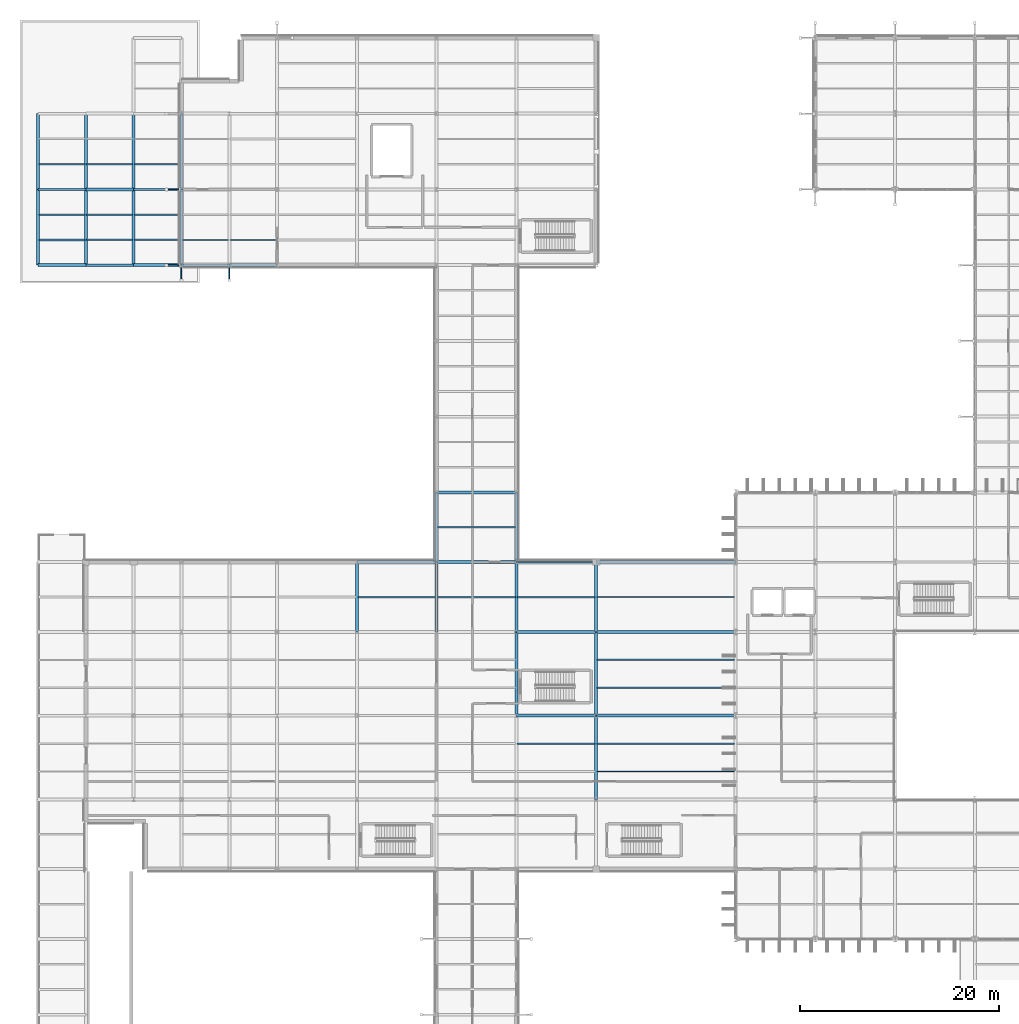
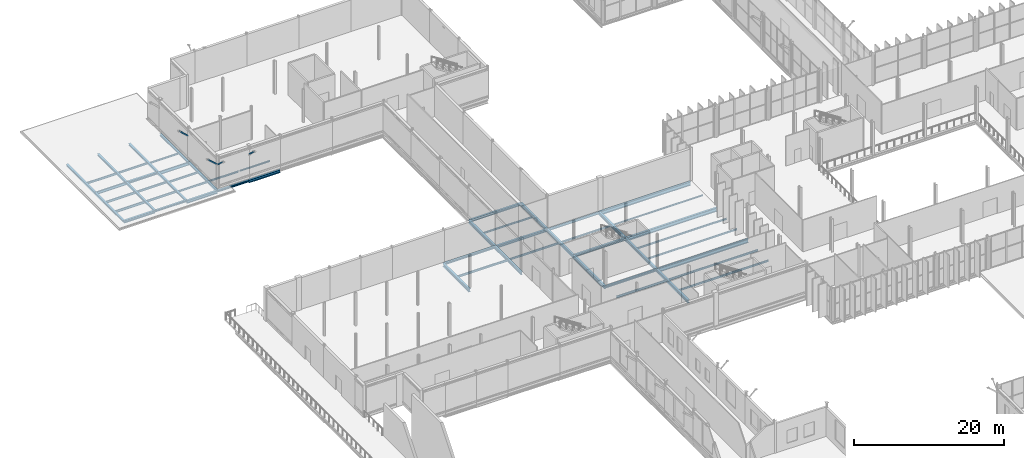
# One storey, part 48 of 147: 55 beams, 4 members.
"""IFC4 building model written with IfcOpenShell, lengths in metres."""

from ifc_helpers import new_model, si_unit, direction, frame, origin, origin_2d, place, context, subcontext, project, spatial, hollow_rectangle, i_section, extrude, material, material_profile, profile_set, type_object, element, save


model = new_model("IFC4")

# Units and contexts
model_context = context("Model", 3, precision=1e-05, world=origin(), true_north=direction((0.0, 1.0)))
body_context = subcontext(model_context, "Body", "Model", "MODEL_VIEW")
ifc_project = project(units=[si_unit("LENGTHUNIT", "METRE"), si_unit("AREAUNIT", "SQUARE_METRE"), si_unit("VOLUMEUNIT", "CUBIC_METRE"), si_unit("PLANEANGLEUNIT", "RADIAN"), si_unit("MASSUNIT", "GRAM", prefix="KILO")], contexts=[model_context])

# Site, building, storey
site_placement = place(None, origin())
site = spatial("IfcSite", under=ifc_project, at=site_placement, CompositionType="ELEMENT")
building_placement = place(site_placement, origin())
building = spatial("IfcBuilding", under=site, at=building_placement, Name="Vekula Escarpment Museum", CompositionType="ELEMENT")
storey_placement = place(building_placement, frame((0.0, 0.0, 7.800048828125)))
storey = spatial("IfcBuildingStorey", under=building, at=storey_placement, Name="L02", CompositionType="ELEMENT", Elevation=7.800048828125)

# Beams
ifc_material_1 = material(Name="Steel S355", Category="steel")
ifc_material_profile_1 = material_profile(ifc_material_1, i_section(OverallWidth=0.280029296875, OverallDepth=0.280029296875, WebThickness=0.010498046875, FlangeThickness=0.01806640625, FilletRadius=0.02392578125, at=origin_2d()), Name="HEB 280")
ifc_profile_set_1 = profile_set([ifc_material_profile_1], Name="Steel S355")
beam_type_1 = type_object("IfcBeamType", Name="BM-GIRD-HEB280", PredefinedType="BEAM", material=ifc_profile_set_1)
for number, where, z_axis, x_axis, name in (
    (1, (4.800048828125, 113.199951171875, -0.340087890625), (1.0, 0.0, 0.0), (0.0, 1.0, 0.0), "Beam X L02 0968"),
    (2, (14.39990234375, 113.199951171875, -0.4599609375), (1.0, 0.0, 0.0), (0.0, 1.0, 0.0), "Beam X L02 0970"),
):
    element("IfcBeam", number, at=place(storey_placement, frame(where, z_axis=z_axis, x_axis=x_axis)), inside=storey, type_object=beam_type_1, Name=name, PredefinedType="BEAM", context=body_context, shape_type="SweptSolid", body=[
        extrude(i_section(OverallWidth=0.280029296875, OverallDepth=0.280029296875, WebThickness=0.010498046875, FlangeThickness=0.01806640625, FilletRadius=0.02392578125, at=origin_2d()), origin(), (0.0, 0.0, 1.0), 4.800048828125),
    ])
ifc_material_2 = material(Name="Steel S355", Category="steel")
ifc_material_profile_2 = material_profile(ifc_material_2, i_section(OverallWidth=0.300048828125, OverallDepth=0.300048828125, WebThickness=0.010986328125, FlangeThickness=0.01904296875, FilletRadius=0.027099609375, at=origin_2d()), Name="HEB 300")
ifc_profile_set_2 = profile_set([ifc_material_profile_2], Name="Steel S355")
beam_type_2 = type_object("IfcBeamType", Name="BM-GIRD-HEB300", PredefinedType="BEAM", material=ifc_profile_set_2)
beam_1_placement = place(storey_placement, frame((48.0, 68.0, -0.41015625), z_axis=(1.0, 0.0, 0.0), x_axis=(0.0, 1.0, 0.0)))
element("IfcBeam", 3, at=beam_1_placement, inside=storey, type_object=beam_type_2, Name="Beam X L02 0895", PredefinedType="BEAM", context=body_context, shape_type="SweptSolid", body=[
    extrude(i_section(OverallWidth=0.300048828125, OverallDepth=0.300048828125, WebThickness=0.010986328125, FlangeThickness=0.01904296875, FilletRadius=0.027099609375, at=origin_2d()), origin(), (0.0, 0.0, 1.0), 8.0),
])
ifc_material_3 = material(Name="Steel S355", Category="steel")
ifc_material_profile_3 = material_profile(ifc_material_3, i_section(OverallWidth=0.300048828125, OverallDepth=0.320068359375, WebThickness=0.011474609375, FlangeThickness=0.0205078125, FilletRadius=0.027099609375, at=origin_2d()), Name="HEB 320")
ifc_profile_set_3 = profile_set([ifc_material_profile_3], Name="Steel S355")
beam_type_3 = type_object("IfcBeamType", Name="BM-GIRD-HEB320", PredefinedType="BEAM", material=ifc_profile_set_3)
beam_2_placement = place(storey_placement, frame((32.0, 83.39990234375, -0.420166015625), z_axis=(1.0, 0.0, 0.0), x_axis=(0.0, 1.0, 0.0)))
element("IfcBeam", 4, at=beam_2_placement, inside=storey, type_object=beam_type_3, Name="Beam X L02 0936", PredefinedType="BEAM", context=body_context, shape_type="SweptSolid", body=[
    extrude(i_section(OverallWidth=0.300048828125, OverallDepth=0.320068359375, WebThickness=0.011474609375, FlangeThickness=0.0205078125, FilletRadius=0.027099609375, at=origin_2d()), origin(), (0.0, 0.0, 1.0), 8.0),
])
ifc_material_4 = material(Name="Steel S355", Category="steel")
ifc_material_profile_4 = material_profile(ifc_material_4, i_section(OverallWidth=0.300048828125, OverallDepth=0.360107421875, WebThickness=0.012451171875, FlangeThickness=0.0224609375, FilletRadius=0.027099609375, at=origin_2d()), Name="HEB 360")
ifc_profile_set_4 = profile_set([ifc_material_profile_4], Name="Steel S355")
beam_type_4 = type_object("IfcBeamType", Name="BM-GIRD-HEB360", PredefinedType="BEAM", material=ifc_profile_set_4)
beam_3_placement = place(storey_placement, frame((4.800048828125, 120.800048828125, -0.380126953125), z_axis=(1.0, 0.0, 0.0), x_axis=(0.0, 1.0, 0.0)))
element("IfcBeam", 5, at=beam_3_placement, inside=storey, type_object=beam_type_4, Name="Beam X L02 0980", PredefinedType="BEAM", context=body_context, shape_type="SweptSolid", body=[
    extrude(i_section(OverallWidth=0.300048828125, OverallDepth=0.360107421875, WebThickness=0.012451171875, FlangeThickness=0.0224609375, FilletRadius=0.027099609375, at=origin_2d()), origin(), (0.0, 0.0, 1.0), 4.800048828125),
])
ifc_material_5 = material(Name="Steel S355", Category="steel")
ifc_material_profile_5 = material_profile(ifc_material_5, i_section(OverallWidth=0.300048828125, OverallDepth=0.39990234375, WebThickness=0.013427734375, FlangeThickness=0.02392578125, FilletRadius=0.027099609375, at=origin_2d()), Name="HEB 400")
ifc_profile_set_5 = profile_set([ifc_material_profile_5], Name="Steel S355")
beam_type_5 = type_object("IfcBeamType", Name="BM-GIRD-HEB400", PredefinedType="BEAM", material=ifc_profile_set_5)
beam_4_placement = place(storey_placement, frame((40.0, 83.39990234375, -0.4599609375), z_axis=(1.0, 0.0, 0.0), x_axis=(0.0, 1.0, 0.0)))
element("IfcBeam", 6, at=beam_4_placement, inside=storey, type_object=beam_type_5, Name="Beam X L02 0937", PredefinedType="BEAM", context=body_context, shape_type="SweptSolid", body=[
    extrude(i_section(OverallWidth=0.300048828125, OverallDepth=0.39990234375, WebThickness=0.013427734375, FlangeThickness=0.02392578125, FilletRadius=0.027099609375, at=origin_2d()), origin(), (0.0, 0.0, 1.0), 8.0),
])
beam_5_placement = place(storey_placement, frame((0.0, 113.199951171875, -0.400146484375), z_axis=(1.0, 0.0, 0.0), x_axis=(0.0, 1.0, 0.0)))
element("IfcBeam", 7, at=beam_5_placement, inside=storey, type_object=beam_type_5, Name="Beam X L02 0967", PredefinedType="BEAM", context=body_context, shape_type="SweptSolid", body=[
    extrude(i_section(OverallWidth=0.300048828125, OverallDepth=0.39990234375, WebThickness=0.013427734375, FlangeThickness=0.02392578125, FilletRadius=0.027099609375, at=origin_2d()), origin(), (0.0, 0.0, 1.0), 4.800048828125),
])
ifc_material_6 = material(Name="Steel S355", Category="steel")
ifc_material_profile_6 = material_profile(ifc_material_6, i_section(OverallWidth=0.300048828125, OverallDepth=0.449951171875, WebThickness=0.013916015625, FlangeThickness=0.02587890625, FilletRadius=0.027099609375, at=origin_2d()), Name="HEB 450")
ifc_profile_set_6 = profile_set([ifc_material_profile_6], Name="Steel S355")
beam_type_6 = type_object("IfcBeamType", Name="BM-GIRD-HEB450", PredefinedType="BEAM", material=ifc_profile_set_6)
beam_6_placement = place(storey_placement, frame((9.60009765625, 113.199951171875, -0.545166015625), z_axis=(1.0, 0.0, 0.0), x_axis=(0.0, 1.0, 0.0)))
element("IfcBeam", 8, at=beam_6_placement, inside=storey, type_object=beam_type_6, Name="Beam X L02 0969", PredefinedType="BEAM", context=body_context, shape_type="SweptSolid", body=[
    extrude(i_section(OverallWidth=0.300048828125, OverallDepth=0.449951171875, WebThickness=0.013916015625, FlangeThickness=0.02587890625, FilletRadius=0.027099609375, at=origin_2d()), origin(), (0.0, 0.0, 1.0), 4.7998046875),
])
beam_7_placement = place(storey_placement, frame((19.199951171875, 113.199951171875, -0.545166015625), z_axis=(1.0, 0.0, 0.0), x_axis=(0.0, 1.0, 0.0)))
element("IfcBeam", 9, at=beam_7_placement, inside=storey, type_object=beam_type_6, Name="Beam X L02 0971", PredefinedType="BEAM", context=body_context, shape_type="SweptSolid", body=[
    extrude(i_section(OverallWidth=0.300048828125, OverallDepth=0.449951171875, WebThickness=0.013916015625, FlangeThickness=0.02587890625, FilletRadius=0.027099609375, at=origin_2d()), origin(), (0.0, 0.0, 1.0), 4.800048828125),
])
ifc_material_7 = material(Name="Steel S355", Category="steel")
ifc_material_profile_7 = material_profile(ifc_material_7, i_section(OverallWidth=0.300048828125, OverallDepth=0.5, WebThickness=0.014404296875, FlangeThickness=0.028076171875, FilletRadius=0.027099609375, at=origin_2d()), Name="HEB 500")
ifc_profile_set_7 = profile_set([ifc_material_profile_7], Name="Steel S355")
beam_type_7 = type_object("IfcBeamType", Name="BM-GIRD-HEB500", PredefinedType="BEAM", material=ifc_profile_set_7)
for number, where, z_axis, x_axis, name in (
    (10, (32.0, 76.39990234375, -0.510009765625), (0.0, 1.0, 0.0), (-1.0, 0.0, 0.0), "Beam Y L02 1075"),
    (11, (40.0, 76.39990234375, -0.510009765625), (0.0, 1.0, 0.0), (-1.0, 0.0, 0.0), "Beam Y L02 1089"),
    (12, (40.0, 83.39990234375, -0.510009765625), (0.0, 1.0, 0.0), (-1.0, 0.0, 0.0), "Beam Y L02 1090"),
):
    element("IfcBeam", number, at=place(storey_placement, frame(where, z_axis=z_axis, x_axis=x_axis)), inside=storey, type_object=beam_type_7, Name=name, PredefinedType="BEAM", context=body_context, shape_type="SweptSolid", body=[
        extrude(i_section(OverallWidth=0.300048828125, OverallDepth=0.5, WebThickness=0.014404296875, FlangeThickness=0.028076171875, FilletRadius=0.027099609375, at=origin_2d()), origin(), (0.0, 0.0, 1.0), 7.0),
    ])
beam_8_placement = place(storey_placement, frame((48.0, 68.0, -0.510009765625), z_axis=(0.0, 1.0, 0.0), x_axis=(-1.0, 0.0, 0.0)))
element("IfcBeam", 13, at=beam_8_placement, inside=storey, type_object=beam_type_7, Name="Beam Y L02 1106", PredefinedType="BEAM", context=body_context, shape_type="SweptSolid", body=[
    extrude(i_section(OverallWidth=0.300048828125, OverallDepth=0.5, WebThickness=0.014404296875, FlangeThickness=0.028076171875, FilletRadius=0.027099609375, at=origin_2d()), origin(), (0.0, 0.0, 1.0), 8.39990234375),
])
for number, where, z_axis, x_axis, name in (
    (14, (48.0, 76.39990234375, -0.510009765625), (0.0, 1.0, 0.0), (-1.0, 0.0, 0.0), "Beam Y L02 1107"),
    (15, (48.0, 83.39990234375, -0.510009765625), (0.0, 1.0, 0.0), (-1.0, 0.0, 0.0), "Beam Y L02 1108"),
):
    element("IfcBeam", number, at=place(storey_placement, frame(where, z_axis=z_axis, x_axis=x_axis)), inside=storey, type_object=beam_type_7, Name=name, PredefinedType="BEAM", context=body_context, shape_type="SweptSolid", body=[
        extrude(i_section(OverallWidth=0.300048828125, OverallDepth=0.5, WebThickness=0.014404296875, FlangeThickness=0.028076171875, FilletRadius=0.027099609375, at=origin_2d()), origin(), (0.0, 0.0, 1.0), 7.0),
    ])
for number, where, z_axis, x_axis, name in (
    (16, (56.0, 59.60009765625, -0.510009765625), (0.0, 1.0, 0.0), (-1.0, 0.0, 0.0), "Beam Y L02 1119"),
    (17, (56.0, 68.0, -0.510009765625), (0.0, 1.0, 0.0), (-1.0, 0.0, 0.0), "Beam Y L02 1120"),
):
    element("IfcBeam", number, at=place(storey_placement, frame(where, z_axis=z_axis, x_axis=x_axis)), inside=storey, type_object=beam_type_7, Name=name, PredefinedType="BEAM", context=body_context, shape_type="SweptSolid", body=[
        extrude(i_section(OverallWidth=0.300048828125, OverallDepth=0.5, WebThickness=0.014404296875, FlangeThickness=0.028076171875, FilletRadius=0.027099609375, at=origin_2d()), origin(), (0.0, 0.0, 1.0), 8.39990234375),
    ])
beam_9_placement = place(storey_placement, frame((56.0, 76.39990234375, -0.510009765625), z_axis=(0.0, 1.0, 0.0), x_axis=(-1.0, 0.0, 0.0)))
element("IfcBeam", 18, at=beam_9_placement, inside=storey, type_object=beam_type_7, Name="Beam Y L02 1121", PredefinedType="BEAM", context=body_context, shape_type="SweptSolid", body=[
    extrude(i_section(OverallWidth=0.300048828125, OverallDepth=0.5, WebThickness=0.014404296875, FlangeThickness=0.028076171875, FilletRadius=0.027099609375, at=origin_2d()), origin(), (0.0, 0.0, 1.0), 7.0),
])
ifc_material_8 = material(Name="Steel S355", Category="steel")
ifc_material_profile_8 = material_profile(ifc_material_8, i_section(OverallWidth=0.300048828125, OverallDepth=0.60009765625, WebThickness=0.015380859375, FlangeThickness=0.030029296875, FilletRadius=0.027099609375, at=origin_2d()), Name="HEB 600")
ifc_profile_set_8 = profile_set([ifc_material_profile_8], Name="Steel S355")
beam_type_8 = type_object("IfcBeamType", Name="BM-GIRD-HEB600", PredefinedType="BEAM", material=ifc_profile_set_8)
for number, where, z_axis, x_axis, name in (
    (19, (56.0, 68.0, -0.56005859375), (1.0, 0.0, 0.0), (0.0, 1.0, 0.0), "Beam X L02 0896"),
    (20, (56.0, 76.39990234375, -0.56005859375), (1.0, 0.0, 0.0), (0.0, 1.0, 0.0), "Beam X L02 0916"),
    (21, (56.0, 83.39990234375, -0.56005859375), (1.0, 0.0, 0.0), (0.0, 1.0, 0.0), "Beam X L02 0939"),
):
    element("IfcBeam", number, at=place(storey_placement, frame(where, z_axis=z_axis, x_axis=x_axis)), inside=storey, type_object=beam_type_8, Name=name, PredefinedType="BEAM", context=body_context, shape_type="SweptSolid", body=[
        extrude(i_section(OverallWidth=0.300048828125, OverallDepth=0.60009765625, WebThickness=0.015380859375, FlangeThickness=0.030029296875, FilletRadius=0.027099609375, at=origin_2d()), origin(), (0.0, 0.0, 1.0), 14.0),
    ])
ifc_material_9 = material(Name="Steel S355", Category="steel")
ifc_material_profile_9 = material_profile(ifc_material_9, i_section(OverallWidth=0.179931640625, OverallDepth=0.39990234375, WebThickness=0.008544921875, FlangeThickness=0.013427734375, FilletRadius=0.02099609375, at=origin_2d()), Name="IPE 400")
ifc_profile_set_9 = profile_set([ifc_material_profile_9], Name="Steel S355")
beam_type_9 = type_object("IfcBeamType", Name="BM-GIRD-IPE400", PredefinedType="BEAM", material=ifc_profile_set_9)
beam_10_placement = place(storey_placement, frame((48.0, 83.39990234375, -0.4599609375), z_axis=(1.0, 0.0, 0.0), x_axis=(0.0, 1.0, 0.0)))
element("IfcBeam", 22, at=beam_10_placement, inside=storey, type_object=beam_type_9, Name="Beam X L02 0938", PredefinedType="BEAM", context=body_context, shape_type="SweptSolid", body=[
    extrude(i_section(OverallWidth=0.179931640625, OverallDepth=0.39990234375, WebThickness=0.008544921875, FlangeThickness=0.013427734375, FilletRadius=0.02099609375, at=origin_2d()), origin(), (0.0, 0.0, 1.0), 8.0),
])
ifc_material_10 = material(Name="Steel S355", Category="steel")
ifc_material_profile_10 = material_profile(ifc_material_10, i_section(OverallWidth=0.18994140625, OverallDepth=0.449951171875, WebThickness=0.009521484375, FlangeThickness=0.0146484375, FilletRadius=0.02099609375, at=origin_2d()), Name="IPE 450")
ifc_profile_set_10 = profile_set([ifc_material_profile_10], Name="Steel S355")
beam_type_10 = type_object("IfcBeamType", Name="BM-GIRD-IPE450", PredefinedType="BEAM", material=ifc_profile_set_10)
beam_11_placement = place(storey_placement, frame((0.0, 120.800048828125, -0.425048828125), z_axis=(1.0, 0.0, 0.0), x_axis=(0.0, 1.0, 0.0)))
element("IfcBeam", 23, at=beam_11_placement, inside=storey, type_object=beam_type_10, Name="Beam X L02 0979", PredefinedType="BEAM", context=body_context, shape_type="SweptSolid", body=[
    extrude(i_section(OverallWidth=0.18994140625, OverallDepth=0.449951171875, WebThickness=0.009521484375, FlangeThickness=0.0146484375, FilletRadius=0.02099609375, at=origin_2d()), origin(), (0.0, 0.0, 1.0), 4.800048828125),
])
ifc_material_11 = material(Name="Steel S355", Category="steel")
ifc_material_profile_11 = material_profile(ifc_material_11, i_section(OverallWidth=0.199951171875, OverallDepth=0.5, WebThickness=0.01025390625, FlangeThickness=0.01611328125, FilletRadius=0.02099609375, at=origin_2d()), Name="IPE 500")
ifc_profile_set_11 = profile_set([ifc_material_profile_11], Name="Steel S355")
beam_type_11 = type_object("IfcBeamType", Name="BM-GIRD-IPE500", PredefinedType="BEAM", material=ifc_profile_set_11)
beam_12_placement = place(storey_placement, frame((9.60009765625, 120.800048828125, -0.570068359375), z_axis=(1.0, 0.0, 0.0), x_axis=(0.0, 1.0, 0.0)))
element("IfcBeam", 24, at=beam_12_placement, inside=storey, type_object=beam_type_11, Name="Beam X L02 0981", PredefinedType="BEAM", context=body_context, shape_type="SweptSolid", body=[
    extrude(i_section(OverallWidth=0.199951171875, OverallDepth=0.5, WebThickness=0.01025390625, FlangeThickness=0.01611328125, FilletRadius=0.02099609375, at=origin_2d()), origin(), (0.0, 0.0, 1.0), 4.7998046875),
])
ifc_material_12 = material(Name="Steel S355", Category="steel")
ifc_material_profile_12 = material_profile(ifc_material_12, i_section(OverallWidth=0.1201171875, OverallDepth=0.239990234375, WebThickness=0.006103515625, FlangeThickness=0.009765625, FilletRadius=0.014892578125, at=origin_2d()), Name="IPE 240")
ifc_profile_set_12 = profile_set([ifc_material_profile_12], Name="Steel S355")
beam_type_12 = type_object("IfcBeamType", Name="BM-JST-IPE240", PredefinedType="JOIST", material=ifc_profile_set_12)
beam_13_placement = place(storey_placement, frame((19.2900390625, 115.7333984375, -0.43994140625), z_axis=(1.0, 0.0, 0.0), x_axis=(0.0, 1.0, 0.0)))
element("IfcBeam", 25, at=beam_13_placement, inside=storey, type_object=beam_type_12, Name="Secondary Joist L02 0648", PredefinedType="JOIST", context=body_context, shape_type="SweptSolid", body=[
    extrude(i_section(OverallWidth=0.1201171875, OverallDepth=0.239990234375, WebThickness=0.006103515625, FlangeThickness=0.009765625, FilletRadius=0.014892578125, at=origin_2d()), origin(), (0.0, 0.0, 1.0), 4.619873046875),
])
beam_14_placement = place(storey_placement, frame((56.090087890625, 79.89990234375, -0.380126953125), z_axis=(1.0, 0.0, 0.0), x_axis=(0.0, 1.0, 0.0)))
element("IfcBeam", 26, at=beam_14_placement, inside=storey, type_object=beam_type_12, Name="Secondary Joist L02 0731", PredefinedType="JOIST", context=body_context, shape_type="SweptSolid", body=[
    extrude(i_section(OverallWidth=0.1201171875, OverallDepth=0.239990234375, WebThickness=0.006103515625, FlangeThickness=0.009765625, FilletRadius=0.014892578125, at=origin_2d()), origin(), (0.0, 0.0, 1.0), 13.81982421875),
])
ifc_material_13 = material(Name="Steel S355", Category="steel")
ifc_material_profile_13 = material_profile(ifc_material_13, i_section(OverallWidth=0.135009765625, OverallDepth=0.27001953125, WebThickness=0.006591796875, FlangeThickness=0.01025390625, FilletRadius=0.014892578125, at=origin_2d()), Name="IPE 270")
ifc_profile_set_13 = profile_set([ifc_material_profile_13], Name="Steel S355")
beam_type_13 = type_object("IfcBeamType", Name="BM-JST-IPE270", PredefinedType="JOIST", material=ifc_profile_set_13)
for number, where, z_axis, x_axis, name in (
    (27, (9.68994140625, 123.333251953125, -0.455078125), (1.0, 0.0, 0.0), (0.0, 1.0, 0.0), "Secondary Joist L02 0628"),
    (28, (14.489990234375, 115.7333984375, -0.455078125), (1.0, 0.0, 0.0), (0.0, 1.0, 0.0), "Secondary Joist L02 0638"),
):
    element("IfcBeam", number, at=place(storey_placement, frame(where, z_axis=z_axis, x_axis=x_axis)), inside=storey, type_object=beam_type_13, Name=name, PredefinedType="JOIST", context=body_context, shape_type="SweptSolid", body=[
        extrude(i_section(OverallWidth=0.135009765625, OverallDepth=0.27001953125, WebThickness=0.006591796875, FlangeThickness=0.01025390625, FilletRadius=0.014892578125, at=origin_2d()), origin(), (0.0, 0.0, 1.0), 4.6201171875),
    ])
for number, where, z_axis, x_axis, name in (
    (29, (40.090087890625, 86.89990234375, -0.39501953125), (1.0, 0.0, 0.0), (0.0, 1.0, 0.0), "Secondary Joist L02 0702"),
    (30, (48.090087890625, 79.89990234375, -0.39501953125), (1.0, 0.0, 0.0), (0.0, 1.0, 0.0), "Secondary Joist L02 0722"),
):
    element("IfcBeam", number, at=place(storey_placement, frame(where, z_axis=z_axis, x_axis=x_axis)), inside=storey, type_object=beam_type_13, Name=name, PredefinedType="JOIST", context=body_context, shape_type="SweptSolid", body=[
        extrude(i_section(OverallWidth=0.135009765625, OverallDepth=0.27001953125, WebThickness=0.006591796875, FlangeThickness=0.01025390625, FilletRadius=0.014892578125, at=origin_2d()), origin(), (0.0, 0.0, 1.0), 7.81982421875),
    ])
for number, where, z_axis, x_axis, name in (
    (31, (56.090087890625, 70.800048828125, -0.39501953125), (1.0, 0.0, 0.0), (0.0, 1.0, 0.0), "Secondary Joist L02 0729"),
    (32, (56.090087890625, 73.60009765625, -0.39501953125), (1.0, 0.0, 0.0), (0.0, 1.0, 0.0), "Secondary Joist L02 0730"),
):
    element("IfcBeam", number, at=place(storey_placement, frame(where, z_axis=z_axis, x_axis=x_axis)), inside=storey, type_object=beam_type_13, Name=name, PredefinedType="JOIST", context=body_context, shape_type="SweptSolid", body=[
        extrude(i_section(OverallWidth=0.135009765625, OverallDepth=0.27001953125, WebThickness=0.006591796875, FlangeThickness=0.01025390625, FilletRadius=0.014892578125, at=origin_2d()), origin(), (0.0, 0.0, 1.0), 13.81982421875),
    ])
ifc_material_14 = material(Name="Steel S355", Category="steel")
ifc_material_profile_14 = material_profile(ifc_material_14, i_section(OverallWidth=0.14990234375, OverallDepth=0.300048828125, WebThickness=0.007080078125, FlangeThickness=0.0107421875, FilletRadius=0.014892578125, at=origin_2d()), Name="IPE 300")
ifc_profile_set_14 = profile_set([ifc_material_profile_14], Name="Steel S355")
beam_type_14 = type_object("IfcBeamType", Name="BM-JST-IPE300", PredefinedType="JOIST", material=ifc_profile_set_14)
for number, where, z_axis, x_axis, name in (
    (33, (4.889892578125, 123.333251953125, -0.35009765625), (1.0, 0.0, 0.0), (0.0, 1.0, 0.0), "Secondary Joist L02 0619"),
    (34, (9.68994140625, 115.7333984375, -0.469970703125), (1.0, 0.0, 0.0), (0.0, 1.0, 0.0), "Secondary Joist L02 0626"),
    (35, (9.68994140625, 118.2666015625, -0.469970703125), (1.0, 0.0, 0.0), (0.0, 1.0, 0.0), "Secondary Joist L02 0627"),
):
    element("IfcBeam", number, at=place(storey_placement, frame(where, z_axis=z_axis, x_axis=x_axis)), inside=storey, type_object=beam_type_14, Name=name, PredefinedType="JOIST", context=body_context, shape_type="SweptSolid", body=[
        extrude(i_section(OverallWidth=0.14990234375, OverallDepth=0.300048828125, WebThickness=0.007080078125, FlangeThickness=0.0107421875, FilletRadius=0.014892578125, at=origin_2d()), origin(), (0.0, 0.0, 1.0), 4.6201171875),
    ])
beam_15_placement = place(storey_placement, frame((40.090087890625, 79.89990234375, -0.41015625), z_axis=(1.0, 0.0, 0.0), x_axis=(0.0, 1.0, 0.0)))
element("IfcBeam", 36, at=beam_15_placement, inside=storey, type_object=beam_type_14, Name="Secondary Joist L02 0701", PredefinedType="JOIST", context=body_context, shape_type="SweptSolid", body=[
    extrude(i_section(OverallWidth=0.14990234375, OverallDepth=0.300048828125, WebThickness=0.007080078125, FlangeThickness=0.0107421875, FilletRadius=0.014892578125, at=origin_2d()), origin(), (0.0, 0.0, 1.0), 7.81982421875),
])
for number, where, z_axis, x_axis, name in (
    (37, (56.090087890625, 62.39990234375, -0.41015625), (1.0, 0.0, 0.0), (0.0, 1.0, 0.0), "Secondary Joist L02 0727"),
    (38, (56.090087890625, 65.199951171875, -0.41015625), (1.0, 0.0, 0.0), (0.0, 1.0, 0.0), "Secondary Joist L02 0728"),
):
    element("IfcBeam", number, at=place(storey_placement, frame(where, z_axis=z_axis, x_axis=x_axis)), inside=storey, type_object=beam_type_14, Name=name, PredefinedType="JOIST", context=body_context, shape_type="SweptSolid", body=[
        extrude(i_section(OverallWidth=0.14990234375, OverallDepth=0.300048828125, WebThickness=0.007080078125, FlangeThickness=0.0107421875, FilletRadius=0.014892578125, at=origin_2d()), origin(), (0.0, 0.0, 1.0), 13.81982421875),
    ])
ifc_material_15 = material(Name="Steel S355", Category="steel")
ifc_material_profile_15 = material_profile(ifc_material_15, i_section(OverallWidth=0.159912109375, OverallDepth=0.330078125, WebThickness=0.007568359375, FlangeThickness=0.011474609375, FilletRadius=0.01806640625, at=origin_2d()), Name="IPE 330")
ifc_profile_set_15 = profile_set([ifc_material_profile_15], Name="Steel S355")
beam_type_15 = type_object("IfcBeamType", Name="BM-JST-IPE330", PredefinedType="JOIST", material=ifc_profile_set_15)
beam_16_placement = place(storey_placement, frame((0.090087890625, 123.333251953125, -0.364990234375), z_axis=(1.0, 0.0, 0.0), x_axis=(0.0, 1.0, 0.0)))
element("IfcBeam", 39, at=beam_16_placement, inside=storey, type_object=beam_type_15, Name="Secondary Joist L02 0610", PredefinedType="JOIST", context=body_context, shape_type="SweptSolid", body=[
    extrude(i_section(OverallWidth=0.159912109375, OverallDepth=0.330078125, WebThickness=0.007568359375, FlangeThickness=0.011474609375, FilletRadius=0.01806640625, at=origin_2d()), origin(), (0.0, 0.0, 1.0), 4.619873046875),
])
for number, where, z_axis, x_axis, name in (
    (40, (4.889892578125, 115.7333984375, -0.364990234375), (1.0, 0.0, 0.0), (0.0, 1.0, 0.0), "Secondary Joist L02 0617"),
    (41, (4.889892578125, 118.2666015625, -0.364990234375), (1.0, 0.0, 0.0), (0.0, 1.0, 0.0), "Secondary Joist L02 0618"),
):
    element("IfcBeam", number, at=place(storey_placement, frame(where, z_axis=z_axis, x_axis=x_axis)), inside=storey, type_object=beam_type_15, Name=name, PredefinedType="JOIST", context=body_context, shape_type="SweptSolid", body=[
        extrude(i_section(OverallWidth=0.159912109375, OverallDepth=0.330078125, WebThickness=0.007568359375, FlangeThickness=0.011474609375, FilletRadius=0.01806640625, at=origin_2d()), origin(), (0.0, 0.0, 1.0), 4.6201171875),
    ])
for number, where, z_axis, x_axis, name in (
    (42, (32.090087890625, 79.89990234375, -0.425048828125), (1.0, 0.0, 0.0), (0.0, 1.0, 0.0), "Secondary Joist L02 0678"),
    (43, (48.090087890625, 65.199951171875, -0.425048828125), (1.0, 0.0, 0.0), (0.0, 1.0, 0.0), "Secondary Joist L02 0721"),
):
    element("IfcBeam", number, at=place(storey_placement, frame(where, z_axis=z_axis, x_axis=x_axis)), inside=storey, type_object=beam_type_15, Name=name, PredefinedType="JOIST", context=body_context, shape_type="SweptSolid", body=[
        extrude(i_section(OverallWidth=0.159912109375, OverallDepth=0.330078125, WebThickness=0.007568359375, FlangeThickness=0.011474609375, FilletRadius=0.01806640625, at=origin_2d()), origin(), (0.0, 0.0, 1.0), 7.81982421875),
    ])
ifc_material_16 = material(Name="Steel S355", Category="steel")
ifc_material_profile_16 = material_profile(ifc_material_16, i_section(OverallWidth=0.169921875, OverallDepth=0.360107421875, WebThickness=0.008056640625, FlangeThickness=0.0126953125, FilletRadius=0.01806640625, at=origin_2d()), Name="IPE 360")
ifc_profile_set_16 = profile_set([ifc_material_profile_16], Name="Steel S355")
beam_type_16 = type_object("IfcBeamType", Name="BM-JST-IPE360", PredefinedType="JOIST", material=ifc_profile_set_16)
for number, where, z_axis, x_axis, name in (
    (44, (0.090087890625, 115.7333984375, -0.380126953125), (1.0, 0.0, 0.0), (0.0, 1.0, 0.0), "Secondary Joist L02 0608"),
    (45, (0.090087890625, 118.2666015625, -0.380126953125), (1.0, 0.0, 0.0), (0.0, 1.0, 0.0), "Secondary Joist L02 0609"),
):
    element("IfcBeam", number, at=place(storey_placement, frame(where, z_axis=z_axis, x_axis=x_axis)), inside=storey, type_object=beam_type_16, Name=name, PredefinedType="JOIST", context=body_context, shape_type="SweptSolid", body=[
        extrude(i_section(OverallWidth=0.169921875, OverallDepth=0.360107421875, WebThickness=0.008056640625, FlangeThickness=0.0126953125, FilletRadius=0.01806640625, at=origin_2d()), origin(), (0.0, 0.0, 1.0), 4.619873046875),
    ])
ifc_material_17 = material(Name="Steel S355", Category="steel")
ifc_material_profile_17 = material_profile(ifc_material_17, i_section(OverallWidth=0.300048828125, OverallDepth=0.2900390625, WebThickness=0.008544921875, FlangeThickness=0.013916015625, FilletRadius=0.027099609375, at=origin_2d()), Name="HEA 300")
ifc_profile_set_17 = profile_set([ifc_material_profile_17], Name="Steel S355")
beam_type_17 = type_object("IfcBeamType", Name="BM-SPAN-HEA300", PredefinedType="SPANDREL", material=ifc_profile_set_17)
beam_17_placement = place(storey_placement, frame((0.0, 113.199951171875, -0.344970703125), z_axis=(0.0, 1.0, 0.0), x_axis=(-1.0, 0.0, 0.0)))
element("IfcBeam", 46, at=beam_17_placement, inside=storey, type_object=beam_type_17, Name="Beam Y L02 1029", PredefinedType="SPANDREL", context=body_context, shape_type="SweptSolid", body=[
    extrude(i_section(OverallWidth=0.300048828125, OverallDepth=0.2900390625, WebThickness=0.008544921875, FlangeThickness=0.013916015625, FilletRadius=0.027099609375, at=origin_2d()), origin(), (0.0, 0.0, 1.0), 7.60009765625),
])
beam_18_placement = place(storey_placement, frame((0.0, 120.800048828125, -0.344970703125), z_axis=(0.0, 1.0, 0.0), x_axis=(-1.0, 0.0, 0.0)))
element("IfcBeam", 47, at=beam_18_placement, inside=storey, type_object=beam_type_17, Name="Beam Y L02 1030", PredefinedType="SPANDREL", context=body_context, shape_type="SweptSolid", body=[
    extrude(i_section(OverallWidth=0.300048828125, OverallDepth=0.2900390625, WebThickness=0.008544921875, FlangeThickness=0.013916015625, FilletRadius=0.027099609375, at=origin_2d()), origin(), (0.0, 0.0, 1.0), 7.599853515625),
])
beam_19_placement = place(storey_placement, frame((4.800048828125, 113.199951171875, -0.344970703125), z_axis=(0.0, 1.0, 0.0), x_axis=(-1.0, 0.0, 0.0)))
element("IfcBeam", 48, at=beam_19_placement, inside=storey, type_object=beam_type_17, Name="Beam Y L02 1039", PredefinedType="SPANDREL", context=body_context, shape_type="SweptSolid", body=[
    extrude(i_section(OverallWidth=0.300048828125, OverallDepth=0.2900390625, WebThickness=0.008544921875, FlangeThickness=0.013916015625, FilletRadius=0.027099609375, at=origin_2d()), origin(), (0.0, 0.0, 1.0), 7.60009765625),
])
beam_20_placement = place(storey_placement, frame((4.800048828125, 120.800048828125, -0.344970703125), z_axis=(0.0, 1.0, 0.0), x_axis=(-1.0, 0.0, 0.0)))
element("IfcBeam", 49, at=beam_20_placement, inside=storey, type_object=beam_type_17, Name="Beam Y L02 1040", PredefinedType="SPANDREL", context=body_context, shape_type="SweptSolid", body=[
    extrude(i_section(OverallWidth=0.300048828125, OverallDepth=0.2900390625, WebThickness=0.008544921875, FlangeThickness=0.013916015625, FilletRadius=0.027099609375, at=origin_2d()), origin(), (0.0, 0.0, 1.0), 7.599853515625),
])
beam_21_placement = place(storey_placement, frame((9.60009765625, 113.199951171875, -0.344970703125), z_axis=(0.0, 1.0, 0.0), x_axis=(-1.0, 0.0, 0.0)))
element("IfcBeam", 50, at=beam_21_placement, inside=storey, type_object=beam_type_17, Name="Beam Y L02 1044", PredefinedType="SPANDREL", context=body_context, shape_type="SweptSolid", body=[
    extrude(i_section(OverallWidth=0.300048828125, OverallDepth=0.2900390625, WebThickness=0.008544921875, FlangeThickness=0.013916015625, FilletRadius=0.027099609375, at=origin_2d()), origin(), (0.0, 0.0, 1.0), 7.60009765625),
])
beam_22_placement = place(storey_placement, frame((9.60009765625, 120.800048828125, -0.344970703125), z_axis=(0.0, 1.0, 0.0), x_axis=(-1.0, 0.0, 0.0)))
element("IfcBeam", 51, at=beam_22_placement, inside=storey, type_object=beam_type_17, Name="Beam Y L02 1045", PredefinedType="SPANDREL", context=body_context, shape_type="SweptSolid", body=[
    extrude(i_section(OverallWidth=0.300048828125, OverallDepth=0.2900390625, WebThickness=0.008544921875, FlangeThickness=0.013916015625, FilletRadius=0.027099609375, at=origin_2d()), origin(), (0.0, 0.0, 1.0), 7.599853515625),
])
beam_23_placement = place(storey_placement, frame((14.39990234375, 113.199951171875, -0.465087890625), z_axis=(0.0, 1.0, 0.0), x_axis=(-1.0, 0.0, 0.0)))
element("IfcBeam", 52, at=beam_23_placement, inside=storey, type_object=beam_type_17, Name="Beam Y L02 1051", PredefinedType="SPANDREL", context=body_context, shape_type="SweptSolid", body=[
    extrude(i_section(OverallWidth=0.300048828125, OverallDepth=0.2900390625, WebThickness=0.008544921875, FlangeThickness=0.013916015625, FilletRadius=0.027099609375, at=origin_2d()), origin(), (0.0, 0.0, 1.0), 7.60009765625),
])
beam_24_placement = place(storey_placement, frame((14.39990234375, 120.800048828125, -0.465087890625), z_axis=(0.0, 1.0, 0.0), x_axis=(-1.0, 0.0, 0.0)))
element("IfcBeam", 53, at=beam_24_placement, inside=storey, type_object=beam_type_17, Name="Beam Y L02 1052", PredefinedType="SPANDREL", context=body_context, shape_type="SweptSolid", body=[
    extrude(i_section(OverallWidth=0.300048828125, OverallDepth=0.2900390625, WebThickness=0.008544921875, FlangeThickness=0.013916015625, FilletRadius=0.027099609375, at=origin_2d()), origin(), (0.0, 0.0, 1.0), 7.599853515625),
])
ifc_material_18 = material(Name="Steel S355", Category="steel")
ifc_material_profile_18 = material_profile(ifc_material_18, i_section(OverallWidth=0.300048828125, OverallDepth=0.389892578125, WebThickness=0.010986328125, FlangeThickness=0.01904296875, FilletRadius=0.027099609375, at=origin_2d()), Name="HEA 400")
ifc_profile_set_18 = profile_set([ifc_material_profile_18], Name="Steel S355")
beam_type_18 = type_object("IfcBeamType", Name="BM-SPAN-HEA400", PredefinedType="SPANDREL", material=ifc_profile_set_18)
for number, where, z_axis, x_axis, name in (
    (54, (48.0, 76.39990234375, -0.455078125), (1.0, 0.0, 0.0), (0.0, 1.0, 0.0), "Beam X L02 0915"),
    (55, (40.0, 90.39990234375, -0.455078125), (1.0, 0.0, 0.0), (0.0, 1.0, 0.0), "Beam X L02 0949"),
):
    element("IfcBeam", number, at=place(storey_placement, frame(where, z_axis=z_axis, x_axis=x_axis)), inside=storey, type_object=beam_type_18, Name=name, PredefinedType="SPANDREL", context=body_context, shape_type="SweptSolid", body=[
        extrude(i_section(OverallWidth=0.300048828125, OverallDepth=0.389892578125, WebThickness=0.010986328125, FlangeThickness=0.01904296875, FilletRadius=0.027099609375, at=origin_2d()), origin(), (0.0, 0.0, 1.0), 8.0),
    ])

# Members
ifc_material_19 = material(Name="Steel S355", Category="steel")
ifc_material_profile_19 = material_profile(ifc_material_19, hollow_rectangle(XDim=0.10009765625, YDim=0.199951171875, WallThickness=0.008056640625, InnerFilletRadius=0.008056640625, OuterFilletRadius=0.01611328125, at=origin_2d()), Name="RHS 200x100x8")
ifc_profile_set_19 = profile_set([ifc_material_profile_19], Name="Steel S355")
member_type = type_object("IfcMemberType", Name="MB-SACAK-BRK", PredefinedType="STRUT", material=ifc_profile_set_19)
for number, where, z_axis, x_axis, name in (
    (56, (14.280029296875, 113.199951171875, 3.949951171875), (-0.738513776389, 0.0, 0.674238386688), (0.0, -1.0, 0.0), "Ottoman Sacak Eave Bracket L03-0031"),
    (57, (14.39990234375, 113.080078125, 3.949951171875), (0.0, -0.738513776389, 0.674238386688), (1.0, 0.0, 0.0), "Ottoman Sacak Eave Bracket L03-0032"),
    (58, (14.280029296875, 120.800048828125, 3.949951171875), (-0.738513776389, 0.0, 0.674238386688), (0.0, -1.0, 0.0), "Ottoman Sacak Eave Bracket L03-0033"),
    (59, (19.199951171875, 113.080078125, 3.949951171875), (0.0, -0.738513776389, 0.674238386688), (1.0, 0.0, 0.0), "Ottoman Sacak Eave Bracket L03-0035"),
):
    element("IfcMember", number, at=place(storey_placement, frame(where, z_axis=z_axis, x_axis=x_axis)), inside=storey, type_object=member_type, Name=name, PredefinedType="STRUT", context=body_context, shape_type="SweptSolid", body=[
        extrude(hollow_rectangle(XDim=0.10009765625, YDim=0.199951171875, WallThickness=0.008056640625, InnerFilletRadius=0.008056640625, OuterFilletRadius=0.01611328125, at=origin_2d()), origin(), (0.0, 0.0, 1.0), 1.868896484375),
    ])

save(model, "model.ifc")
